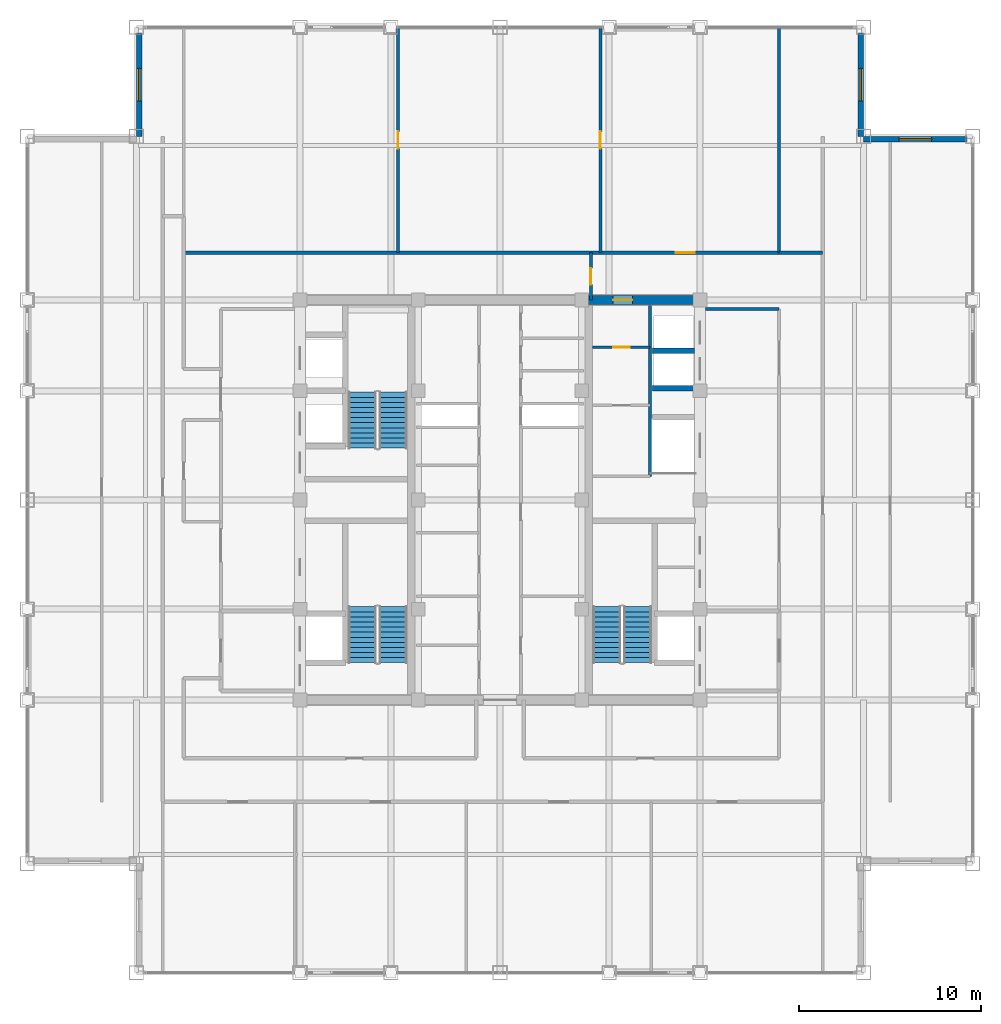
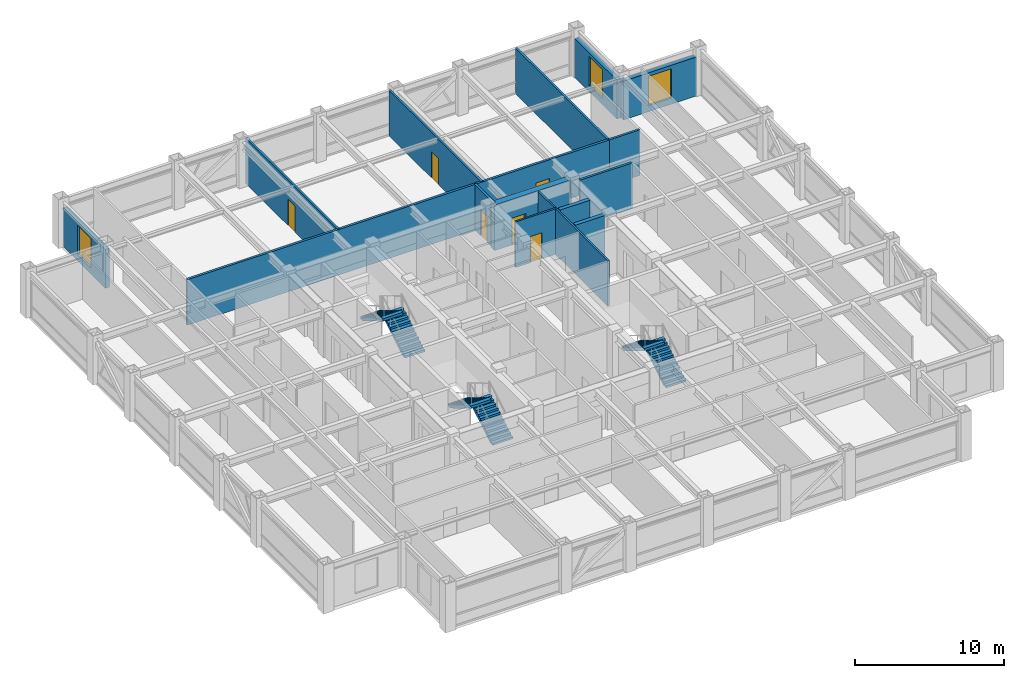
# One storey, part 27 of 28: 15 walls, 6 doors, 6 stair flights, 3 windows, 9 openings, 3 elements without a shape of their own.
"""IFC4 building model written with IfcOpenShell, lengths in metres."""

import ifcopenshell
import ifcopenshell.guid

model = None  # the IFC model being written
_history = None  # IfcOwnerHistory: only IFC2X3 demands one
_inside = {}  # id of a spatial element -> (the spatial element, [elements in it])
_under = {}  # id of a project, library or spatial element -> (it, [spatial elements below it])
_declared = {}  # id of a project -> (the project, [libraries it declares])
_typed = {}  # id of a type object -> (the type object, [elements of that type])
_made_of = {}  # id of a material, layer set ... -> (it, [elements and type objects made of it])


def new_model(schema):
    """Start an empty IFC model of exactly this schema.

    Asked for "IFC4X3", IfcOpenShell would pick the latest addendum, in which some entities
    have other attributes; the version numbers below select the first issue.
    IFC2X3 requires an IfcOwnerHistory on every rooted entity: one is made here for all.
    """
    global model, _history
    if schema == "IFC4X3":
        model = ifcopenshell.file(schema_version=(4, 3, 0, 0))
    else:
        model = ifcopenshell.file(schema=schema)
    _inside.clear()
    _under.clear()
    _declared.clear()
    _typed.clear()
    _made_of.clear()
    _history = None
    if model.schema == "IFC2X3":
        org = make("IfcOrganization", Name="unknown")
        user = make(
            "IfcPersonAndOrganization",
            ThePerson=make("IfcPerson", FamilyName="unknown"),
            TheOrganization=org,
        )
        app = make(
            "IfcApplication",
            ApplicationDeveloper=org,
            Version="unknown",
            ApplicationFullName="unknown",
            ApplicationIdentifier="unknown",
        )
        _history = make(
            "IfcOwnerHistory",
            OwningUser=user,
            OwningApplication=app,
            ChangeAction="ADDED",
            CreationDate=0,
        )
    return model


def make(cls, **values):
    """One entity of the class cls with the attributes given. An attribute that is None is left unset."""
    return model.create_entity(
        cls, **{name: value for name, value in values.items() if value is not None}
    )


def rooted(cls, **values):
    """An entity with a GlobalId (a new one), such as an element, a storey or a relation."""
    return make(cls, GlobalId=ifcopenshell.guid.new(), OwnerHistory=_history, **values)


def si_unit(unit_type, name, prefix=None):
    """IfcSIUnit, for example si_unit("LENGTHUNIT", "METRE", prefix="MILLI")."""
    return make("IfcSIUnit", UnitType=unit_type, Prefix=prefix, Name=name)


def assignment(units):
    """IfcUnitAssignment: the units of a project."""
    return None if units is None else make("IfcUnitAssignment", Units=units)


def point(xyz):
    """IfcCartesianPoint."""
    return None if xyz is None else make("IfcCartesianPoint", Coordinates=xyz)


def direction(xyz):
    """IfcDirection."""
    return None if xyz is None else make("IfcDirection", DirectionRatios=xyz)


def frame(location, z_axis=None, x_axis=None):
    """IfcAxis2Placement3D, a coordinate frame: its origin and axes. An axis left out is left unset."""
    return make(
        "IfcAxis2Placement3D",
        Location=point(location),
        Axis=direction(z_axis),
        RefDirection=direction(x_axis),
    )


def frame_2d(location, x_axis=None):
    """IfcAxis2Placement2D, a coordinate frame in the plane: its origin and x axis."""
    return make(
        "IfcAxis2Placement2D", Location=point(location), RefDirection=direction(x_axis)
    )


def origin():
    """The frame at (0, 0, 0) with its axes left unset."""
    return frame((0.0, 0.0, 0.0))


def place(relative_to, where):
    """IfcLocalPlacement: puts the frame where relative to a parent placement (None: the world)."""
    return make(
        "IfcLocalPlacement", PlacementRelTo=relative_to, RelativePlacement=where
    )


def context(
    kind, dimensions, precision=None, world=None, true_north=None, identifier=None
):
    """IfcGeometricRepresentationContext, for example the 3D "Model" context."""
    return make(
        "IfcGeometricRepresentationContext",
        ContextIdentifier=identifier,
        ContextType=kind,
        CoordinateSpaceDimension=dimensions,
        Precision=precision,
        WorldCoordinateSystem=world,
        TrueNorth=true_north,
    )


def subcontext(parent, identifier, kind, view, scale=None):
    """IfcGeometricRepresentationSubContext, for example "Body" below "Model"."""
    return make(
        "IfcGeometricRepresentationSubContext",
        ContextIdentifier=identifier,
        ContextType=kind,
        ParentContext=parent,
        TargetScale=scale,
        TargetView=view,
    )


def project(units=None, contexts=None):
    """IfcProject with its units and contexts."""
    return rooted(
        "IfcProject",
        Name="project",
        RepresentationContexts=contexts,
        UnitsInContext=assignment(units),
    )


def spatial(cls, under=None, at=None, **own):
    """A site, building, storey or space (cls), placed at a placement, below another one or the project."""
    s = rooted(cls, ObjectPlacement=at, **own)
    if under is not None:
        _under.setdefault(under.id(), (under, []))[1].append(s)
    return s


def polyline(points):
    """IfcPolyline through the points."""
    return make("IfcPolyline", Points=[point(p) for p in points])


def profile(cls, at=None, kind="AREA", **sizes):
    """A parametric profile (cls). Its sizes go by their IFC names, for example OverallWidth=200.0."""
    return make(cls, ProfileType=kind, Position=at, **sizes)


def rectangle(**sizes):
    """IfcRectangleProfileDef."""
    return profile("IfcRectangleProfileDef", **sizes)


def outline(outer, holes=None, kind="AREA"):
    """IfcArbitraryClosedProfileDef: a profile drawn as a closed curve; with holes, ...WithVoids."""
    if holes is None:
        return make("IfcArbitraryClosedProfileDef", ProfileType=kind, OuterCurve=outer)
    return make(
        "IfcArbitraryProfileDefWithVoids",
        ProfileType=kind,
        OuterCurve=outer,
        InnerCurves=holes,
    )


def extrude(swept, where, along, depth):
    """IfcExtrudedAreaSolid: the profile swept, set in the frame where, extruded along a direction by depth."""
    return make(
        "IfcExtrudedAreaSolid",
        SweptArea=swept,
        Position=where,
        ExtrudedDirection=direction(along),
        Depth=depth,
    )


def shape(context_of_items, identifier, shape_type, items):
    """IfcShapeRepresentation: the items that make up one representation, for example the "Body"."""
    return make(
        "IfcShapeRepresentation",
        ContextOfItems=context_of_items,
        RepresentationIdentifier=identifier,
        RepresentationType=shape_type,
        Items=items,
    )


def source(mapping_origin, context_of_items, identifier, shape_type, items):
    """IfcRepresentationMap: a shape defined once, which mapped items show again and again."""
    return make(
        "IfcRepresentationMap",
        MappingOrigin=mapping_origin,
        MappedRepresentation=shape(context_of_items, identifier, shape_type, items),
    )


def transform(
    local_origin,
    x_axis=None,
    y_axis=None,
    z_axis=None,
    scale=None,
    scale2=None,
    scale3=None,
    uniform=True,
):
    """IfcCartesianTransformationOperator3D, or its non-uniform kind. x_axis, y_axis, z_axis: its Axis1, 2, 3."""
    if uniform:
        return make(
            "IfcCartesianTransformationOperator3D",
            Axis1=direction(x_axis),
            Axis2=direction(y_axis),
            LocalOrigin=point(local_origin),
            Scale=scale,
            Axis3=direction(z_axis),
        )
    return make(
        "IfcCartesianTransformationOperator3DnonUniform",
        Axis1=direction(x_axis),
        Axis2=direction(y_axis),
        LocalOrigin=point(local_origin),
        Scale=scale,
        Axis3=direction(z_axis),
        Scale2=scale2,
        Scale3=scale3,
    )


def mapped(mapping_source, mapping_target):
    """IfcMappedItem: shows the shape of a source again, moved by a transform."""
    return make(
        "IfcMappedItem", MappingSource=mapping_source, MappingTarget=mapping_target
    )


def material(Name=None, Category=None):
    """IfcMaterial."""
    return make("IfcMaterial", Name=Name, Category=Category)


def layer(
    of_material, thickness, ventilated=None, Name=None, Category=None, Priority=None
):
    """IfcMaterialLayer: one layer of a wall or slab, of a material (None: an air gap)."""
    return make(
        "IfcMaterialLayer",
        Material=of_material,
        LayerThickness=thickness,
        IsVentilated=ventilated,
        Name=Name,
        Category=Category,
        Priority=Priority,
    )


def layer_set(layers, Name=None):
    """IfcMaterialLayerSet."""
    return make("IfcMaterialLayerSet", MaterialLayers=layers, LayerSetName=Name)


def made_of(thing, what):
    """Note that an element or type object is made of a material, layer set ...; save() writes the relation."""
    if what is not None:
        _made_of.setdefault(what.id(), (what, []))[1].append(thing)
    return thing


def type_object(cls, material=None, **own):
    """A type object (cls), such as IfcWallType, which elements share."""
    return made_of(rooted(cls, **own), material)


def element(
    cls,
    number,
    at=None,
    inside=None,
    cuts=None,
    type_object=None,
    material=None,
    context=None,
    identifier="Body",
    shape_type=None,
    held_by="IfcProductDefinitionShape",
    body=None,
    shapes=None,
    **own,
):
    """One element of the class cls, such as IfcWall. Its Tag is "e" and its number.

    at: its placement. inside: the storey or other place that contains it. cuts: it is an
    opening in that element (IfcRelVoidsElement). A single representation is given by context,
    identifier, shape_type and body (its items); several are given by shapes. held_by: the class
    of the entity that holds the representations. save() writes the other relations.
    """
    e = rooted(cls, Tag="e%d" % number, ObjectPlacement=at, **own)
    if body is not None:
        shapes = [shape(context, identifier, shape_type, body)]
    if shapes is not None:
        e.Representation = make(held_by, Representations=shapes)
    if inside is not None:
        _inside.setdefault(inside.id(), (inside, []))[1].append(e)
    if cuts is not None:
        rooted(
            "IfcRelVoidsElement", RelatingBuildingElement=cuts, RelatedOpeningElement=e
        )
    if type_object is not None:
        _typed.setdefault(type_object.id(), (type_object, []))[1].append(e)
    return made_of(e, material)


def fill(opening, filler):
    """IfcRelFillsElement: the door or window that sits in an opening."""
    return rooted(
        "IfcRelFillsElement",
        RelatingOpeningElement=opening,
        RelatedBuildingElement=filler,
    )


def aggregate(whole, parts):
    """IfcRelAggregates: a whole, such as a stair, and the parts it consists of."""
    return rooted("IfcRelAggregates", RelatingObject=whole, RelatedObjects=parts)


def save(model, path):
    """Write the relations noted so far, then the file.

    IfcRelAggregates (storeys below a building ...), IfcRelContainedInSpatialStructure (elements
    in a storey), IfcRelDefinesByType, IfcRelAssociatesMaterial and IfcRelDeclares: one each for
    every whole, place, type object, material and project.
    """
    for whole, parts in _under.values():
        aggregate(whole, parts)
    for where, things in _inside.values():
        rooted(
            "IfcRelContainedInSpatialStructure",
            RelatedElements=things,
            RelatingStructure=where,
        )
    for kind, things in _typed.values():
        rooted("IfcRelDefinesByType", RelatedObjects=things, RelatingType=kind)
    for what, things in _made_of.values():
        rooted("IfcRelAssociatesMaterial", RelatedObjects=things, RelatingMaterial=what)
    for by, libraries in _declared.values():
        rooted("IfcRelDeclares", RelatingContext=by, RelatedDefinitions=libraries)
    model.write(path)


model = new_model("IFC4")

# Units and contexts
model_context = context("Model", 3, precision=1e-05, world=origin(), true_north=direction((0.0, 1.0)))
body_context = subcontext(model_context, "Body", "Model", "MODEL_VIEW")
ifc_project = project(units=[si_unit("LENGTHUNIT", "METRE"), si_unit("AREAUNIT", "SQUARE_METRE"), si_unit("VOLUMEUNIT", "CUBIC_METRE"), si_unit("PLANEANGLEUNIT", "RADIAN"), si_unit("MASSUNIT", "GRAM", prefix="KILO")], contexts=[model_context])

# Site, building, storey
site_placement = place(None, origin())
site = spatial("IfcSite", under=ifc_project, at=site_placement, CompositionType="ELEMENT")
building_placement = place(site_placement, origin())
building = spatial("IfcBuilding", under=site, at=building_placement, Name="Khorayat Bourse Tower", CompositionType="ELEMENT")
storey_placement = place(building_placement, frame((0.0, 0.0, 334.300048828125)))
storey = spatial("IfcBuildingStorey", under=building, at=storey_placement, Name="L79", CompositionType="ELEMENT", Elevation=334.300048828125)

# Wall, opening, door
ifc_material_1 = material(Name="Concrete C52/65", Category="concrete")
ifc_layer_1 = layer(ifc_material_1, 0.5)
ifc_layer_set_1 = layer_set([ifc_layer_1], Name="Concrete C52/65")
wall_type_1 = type_object("IfcWallType", Name="WAL-CORE-500", PredefinedType="SHEAR", material=ifc_layer_set_1)
shared_shape_1 = source(origin(), body_context, "Body", "SweptSolid", [
    extrude(rectangle(XDim=5.89990234375, YDim=0.5, at=frame_2d((2.949951171875, 0.0))), origin(), (0.0, 0.0, 1.0), 3.739990234375),
])
wall_1_placement = place(storey_placement, frame((4.85009765625, 11.0, 0.0), z_axis=(0.0, 0.0, 1.0), x_axis=(1.0, 0.0, 0.0)))
wall_1 = element("IfcWall", 1, at=wall_1_placement, inside=storey, type_object=wall_type_1, Name="L79 Core Shear Wall PIER-EN", PredefinedType="SHEAR", context=body_context, shape_type="MappedRepresentation", body=[
    mapped(shared_shape_1, transform((0.0, 0.0, 0.0), scale=1.0)),
])
shared_shape_2 = source(origin(), body_context, "Body", "SweptSolid", [
    extrude(rectangle(XDim=1.050048828125, YDim=2.199951171875, at=frame_2d((0.52490234375, 1.10009765625))), frame((0.0, 0.260009765625, 0.0), z_axis=(0.0, -1.0, 0.0), x_axis=(1.0, 0.0, 0.0)), (0.0, 0.0, 1.0), 0.52001953125),
])
opening_1_placement = place(wall_1_placement, frame((1.375, 0.0, 0.0)))
opening_1 = element("IfcOpeningElement", 2, at=opening_1_placement, cuts=wall_1, Name="Opening DI-04", PredefinedType="OPENING", context=body_context, shape_type="MappedRepresentation", body=[
    mapped(shared_shape_2, transform((0.0, 0.0, 0.0), scale=1.0)),
])
ifc_material_2 = material(Name="Fire-rated oak veneer suite entrance door")
door_type_1 = type_object("IfcDoorType", Name="DR-INT-SUITE-1050", OperationType="NOTDEFINED", PredefinedType="DOOR", material=ifc_material_2)
shared_shape_3 = source(origin(), body_context, "Body", "SweptSolid", [
    extrude(rectangle(XDim=1.050048828125, YDim=2.199951171875, at=frame_2d((0.52490234375, 1.10009765625))), frame((0.0, 0.02490234375, 0.0), z_axis=(0.0, -1.0, 0.0), x_axis=(1.0, 0.0, 0.0)), (0.0, 0.0, 1.0), 0.050048828125),
])
door_1_placement = place(opening_1_placement, origin())
door_1 = element("IfcDoor", 3, at=door_1_placement, inside=storey, type_object=door_type_1, Name="L79 Core Washroom Lobby Door", OperationType="SINGLE_SWING_LEFT", OverallHeight=2.199951171875, OverallWidth=1.050048828125, PredefinedType="DOOR", context=body_context, shape_type="MappedRepresentation", body=[
    mapped(shared_shape_3, transform((0.0, 0.0, 0.0), scale=1.0)),
])
fill(opening_1, door_1)

# Wall, opening, window
ifc_material_3 = material(Name="Precast concrete C45/55", Category="concrete")
ifc_layer_2 = layer(ifc_material_3, 0.320068359375)
ifc_layer_set_2 = layer_set([ifc_layer_2], Name="Precast concrete C45/55")
wall_type_2 = type_object("IfcWallType", Name="WAL-EXT-STONE-320", PredefinedType="STANDARD", material=ifc_layer_set_2)
shared_shape_4 = source(origin(), body_context, "Body", "SweptSolid", [
    extrude(rectangle(XDim=5.679931640625, YDim=0.320068359375, at=frame_2d((2.83984375, 0.0))), origin(), (0.0, 0.0, 1.0), 3.19091796875),
])
wall_2_placement = place(storey_placement, frame((20.0, 19.840087890625, 0.0), z_axis=(0.0, 0.0, 1.0), x_axis=(1.0, 0.0, 0.0)))
wall_2 = element("IfcWall", 4, at=wall_2_placement, inside=storey, type_object=wall_type_2, Name="L79 Re-Entrant Notch Limestone Wall NE-H", PredefinedType="STANDARD", context=body_context, shape_type="MappedRepresentation", body=[
    mapped(shared_shape_4, transform((0.0, 0.0, 0.0), scale=1.0)),
])
shared_shape_5 = source(origin(), body_context, "Body", "SweptSolid", [
    extrude(rectangle(XDim=1.800048828125, YDim=2.39990234375, at=frame_2d((0.89990234375, 1.199951171875))), frame((0.0, 0.169921875, 0.0), z_axis=(0.0, -1.0, 0.0), x_axis=(1.0, 0.0, 0.0)), (0.0, 0.0, 1.0), 0.340087890625),
])
opening_2_placement = place(wall_2_placement, frame((1.93994140625, 0.0, 0.5)))
opening_2 = element("IfcOpeningElement", 5, at=opening_2_placement, cuts=wall_2, Name="Opening WN-04", PredefinedType="OPENING", context=body_context, shape_type="MappedRepresentation", body=[
    mapped(shared_shape_5, transform((0.0, 0.0, 0.0), scale=1.0)),
])
ifc_material_4 = material(Name="Low-E acoustic laminated double glazing", Category="glass")
window_type = type_object("IfcWindowType", Name="WIN-NOTCH-1800x2400", PartitioningType="SINGLE_PANEL", PredefinedType="WINDOW", material=ifc_material_4)
shared_shape_6 = source(origin(), body_context, "Body", "SweptSolid", [
    extrude(rectangle(XDim=1.800048828125, YDim=2.39990234375, at=frame_2d((0.89990234375, 1.199951171875))), frame((0.0, 0.030029296875, 0.0), z_axis=(0.0, -1.0, 0.0), x_axis=(1.0, 0.0, 0.0)), (0.0, 0.0, 1.0), 0.06005859375),
])
window_1_placement = place(opening_2_placement, origin())
window_1 = element("IfcWindow", 6, at=window_1_placement, inside=storey, type_object=window_type, Name="L79 Facade Window 1", OverallHeight=2.39990234375, OverallWidth=1.800048828125, PartitioningType="SINGLE_PANEL", PredefinedType="WINDOW", context=body_context, shape_type="MappedRepresentation", body=[
    mapped(shared_shape_6, transform((0.0, 0.0, 0.0), scale=1.0)),
])
fill(opening_2, window_1)

wall_3_placement = place(storey_placement, frame((19.840087890625, 20.0, 0.0), z_axis=(0.0, 0.0, 1.0), x_axis=(0.0, 1.0, 0.0)))
wall_3 = element("IfcWall", 7, at=wall_3_placement, inside=storey, type_object=wall_type_2, Name="L79 Re-Entrant Notch Limestone Wall NE-V", PredefinedType="STANDARD", context=body_context, shape_type="MappedRepresentation", body=[
    mapped(shared_shape_4, transform((0.0, 0.0, 0.0), scale=1.0)),
])
opening_3_placement = place(wall_3_placement, frame((1.93994140625, 0.0, 0.5)))
opening_3 = element("IfcOpeningElement", 8, at=opening_3_placement, cuts=wall_3, Name="Opening WN-04", PredefinedType="OPENING", context=body_context, shape_type="MappedRepresentation", body=[
    mapped(shared_shape_5, transform((0.0, 0.0, 0.0), scale=1.0)),
])
window_2_placement = place(opening_3_placement, origin())
window_2 = element("IfcWindow", 9, at=window_2_placement, inside=storey, type_object=window_type, Name="L79 Facade Window 1", OverallHeight=2.39990234375, OverallWidth=1.800048828125, PartitioningType="SINGLE_PANEL", PredefinedType="WINDOW", context=body_context, shape_type="MappedRepresentation", body=[
    mapped(shared_shape_6, transform((0.0, 0.0, 0.0), scale=1.0)),
])
fill(opening_3, window_2)

wall_4_placement = place(storey_placement, frame((-19.840087890625, 20.0, 0.0), z_axis=(0.0, 0.0, 1.0), x_axis=(0.0, 1.0, 0.0)))
wall_4 = element("IfcWall", 10, at=wall_4_placement, inside=storey, type_object=wall_type_2, Name="L79 Re-Entrant Notch Limestone Wall NW-V", PredefinedType="STANDARD", context=body_context, shape_type="MappedRepresentation", body=[
    mapped(shared_shape_4, transform((0.0, 0.0, 0.0), scale=1.0)),
])
opening_4_placement = place(wall_4_placement, frame((1.93994140625, 0.0, 0.5)))
opening_4 = element("IfcOpeningElement", 11, at=opening_4_placement, cuts=wall_4, Name="Opening WN-04", PredefinedType="OPENING", context=body_context, shape_type="MappedRepresentation", body=[
    mapped(shared_shape_5, transform((0.0, 0.0, 0.0), scale=1.0)),
])
window_3_placement = place(opening_4_placement, origin())
window_3 = element("IfcWindow", 12, at=window_3_placement, inside=storey, type_object=window_type, Name="L79 Facade Window 1", OverallHeight=2.39990234375, OverallWidth=1.800048828125, PartitioningType="SINGLE_PANEL", PredefinedType="WINDOW", context=body_context, shape_type="MappedRepresentation", body=[
    mapped(shared_shape_6, transform((0.0, 0.0, 0.0), scale=1.0)),
])
fill(opening_4, window_3)

# Walls
ifc_material_5 = material(Name="Concrete C50/60", Category="concrete")
ifc_layer_3 = layer(ifc_material_5, 0.300048828125)
ifc_layer_set_3 = layer_set([ifc_layer_3], Name="Concrete C50/60")
wall_type_3 = type_object("IfcWallType", Name="WAL-SHAFT-300", PredefinedType="SHEAR", material=ifc_layer_set_3)
shared_shape_7 = source(origin(), body_context, "Body", "SweptSolid", [
    extrude(rectangle(XDim=2.300048828125, YDim=0.300048828125, at=frame_2d((1.14990234375, 0.0))), origin(), (0.0, 0.0, 1.0), 3.739990234375),
])
for number, where, z_axis, x_axis, name in (
    (13, (8.39990234375, 6.14990234375, 0.0), (0.0, 0.0, 1.0), (1.0, 0.0, 0.0), "L79 Partition WAL-L79-EPIER-H3S"),
    (14, (8.39990234375, 8.199951171875, 0.0), (0.0, 0.0, 1.0), (1.0, 0.0, 0.0), "L79 Partition WAL-L79-EPIER-H34"),
):
    element("IfcWall", number, at=place(storey_placement, frame(where, z_axis=z_axis, x_axis=x_axis)), inside=storey, type_object=wall_type_3, Name=name, PredefinedType="SHEAR", context=body_context, shape_type="MappedRepresentation", body=[
        mapped(shared_shape_7, transform((0.0, 0.0, 0.0), scale=1.0)),
    ])
ifc_material_6 = material(Name="Moisture-resistant masonry partition", Category="masonry")
ifc_layer_4 = layer(ifc_material_6, 0.139892578125)
ifc_layer_set_4 = layer_set([ifc_layer_4], Name="Moisture-resistant masonry partition")
wall_type_4 = type_object("IfcWallType", Name="WAL-PART-WET-140", PredefinedType="PARTITIONING", material=ifc_layer_set_4)
shared_shape_8 = source(origin(), body_context, "Body", "SweptSolid", [
    extrude(rectangle(XDim=9.39990234375, YDim=0.139892578125, at=frame_2d((4.699951171875, 0.0))), origin(), (0.0, 0.0, 1.0), 3.739990234375),
])
wall_5_placement = place(storey_placement, frame((8.25, 1.300048828125, 0.0), z_axis=(0.0, 0.0, 1.0), x_axis=(0.0, 1.0, 0.0)))
element("IfcWall", 15, at=wall_5_placement, inside=storey, type_object=wall_type_4, Name="L79 Partition WAL-L79-ECORE-E", PredefinedType="PARTITIONING", context=body_context, shape_type="MappedRepresentation", body=[
    mapped(shared_shape_8, transform((0.0, 0.0, 0.0), scale=1.0)),
])

# Wall, opening, door
shared_shape_9 = source(origin(), body_context, "Body", "SweptSolid", [
    extrude(rectangle(XDim=3.14990234375, YDim=0.139892578125, at=frame_2d((1.574951171875, 0.0))), origin(), (0.0, 0.0, 1.0), 3.739990234375),
])
wall_6_placement = place(storey_placement, frame((5.10009765625, 8.39990234375, 0.0), z_axis=(0.0, 0.0, 1.0), x_axis=(1.0, 0.0, 0.0)))
wall_6 = element("IfcWall", 16, at=wall_6_placement, inside=storey, type_object=wall_type_4, Name="L79 Partition WAL-L79-ECW-TOP", PredefinedType="PARTITIONING", context=body_context, shape_type="MappedRepresentation", body=[
    mapped(shared_shape_9, transform((0.0, 0.0, 0.0), scale=1.0)),
])
shared_shape_10 = source(origin(), body_context, "Body", "SweptSolid", [
    extrude(rectangle(XDim=0.89990234375, YDim=2.14990234375, at=frame_2d((0.449951171875, 1.074951171875))), frame((0.0, 0.079833984375, 0.0), z_axis=(0.0, -1.0, 0.0), x_axis=(1.0, 0.0, 0.0)), (0.0, 0.0, 1.0), 0.159912109375),
])
opening_5_placement = place(wall_6_placement, frame((1.1298828125, 0.0, 0.0)))
opening_5 = element("IfcOpeningElement", 17, at=opening_5_placement, cuts=wall_6, Name="Opening DI-06", PredefinedType="OPENING", context=body_context, shape_type="MappedRepresentation", body=[
    mapped(shared_shape_10, transform((0.0, 0.0, 0.0), scale=1.0)),
])
ifc_material_7 = material(Name="Moisture-resistant laminate washroom door")
door_type_2 = type_object("IfcDoorType", Name="DR-INT-WC-900", OperationType="NOTDEFINED", PredefinedType="DOOR", material=ifc_material_7)
shared_shape_11 = source(origin(), body_context, "Body", "SweptSolid", [
    extrude(rectangle(XDim=0.89990234375, YDim=2.14990234375, at=frame_2d((0.449951171875, 1.074951171875))), frame((0.0, 0.02490234375, 0.0), z_axis=(0.0, -1.0, 0.0), x_axis=(1.0, 0.0, 0.0)), (0.0, 0.0, 1.0), 0.050048828125),
])
door_2_placement = place(opening_5_placement, origin())
door_2 = element("IfcDoor", 18, at=door_2_placement, inside=storey, type_object=door_type_2, Name="L79 Accessible WC Door", OperationType="SINGLE_SWING_LEFT", OverallHeight=2.14990234375, OverallWidth=0.89990234375, PredefinedType="DOOR", context=body_context, shape_type="MappedRepresentation", body=[
    mapped(shared_shape_11, transform((0.0, 0.0, 0.0), scale=1.0)),
])
fill(opening_5, door_2)

# Wall
ifc_material_8 = material(Name="Gypsum plasterboard acoustic stud wall")
ifc_layer_5 = layer(ifc_material_8, 0.179931640625)
ifc_layer_set_5 = layer_set([ifc_layer_5], Name="Gypsum plasterboard acoustic stud wall")
wall_type_5 = type_object("IfcWallType", Name="WAL-PART-CORR-180", PredefinedType="PARTITIONING", material=ifc_layer_set_5)
shared_shape_12 = source(origin(), body_context, "Body", "SweptSolid", [
    extrude(rectangle(XDim=4.050048828125, YDim=0.179931640625, at=frame_2d((2.02490234375, 0.0))), origin(), (0.0, 0.0, 1.0), 3.739990234375),
])
wall_7_placement = place(storey_placement, frame((11.300048828125, 10.5, 0.0), z_axis=(0.0, 0.0, 1.0), x_axis=(1.0, 0.0, 0.0)))
element("IfcWall", 19, at=wall_7_placement, inside=storey, type_object=wall_type_5, Name="L79 Partition WAL-L79-ELOB-N", PredefinedType="PARTITIONING", context=body_context, shape_type="MappedRepresentation", body=[
    mapped(shared_shape_12, transform((0.0, 0.0, 0.0), scale=1.0)),
])

# Wall, opening, door
shared_shape_13 = source(origin(), body_context, "Body", "SweptSolid", [
    extrude(rectangle(XDim=2.60009765625, YDim=0.179931640625, at=frame_2d((1.300048828125, 0.0))), origin(), (0.0, 0.0, 1.0), 3.739990234375),
])
wall_8_placement = place(storey_placement, frame((5.0, 11.0, 0.0), z_axis=(0.0, 0.0, 1.0), x_axis=(0.0, 1.0, 0.0)))
wall_8 = element("IfcWall", 20, at=wall_8_placement, inside=storey, type_object=wall_type_5, Name="L79 Partition WAL-L79-CORRNE-W", PredefinedType="PARTITIONING", context=body_context, shape_type="MappedRepresentation", body=[
    mapped(shared_shape_13, transform((0.0, 0.0, 0.0), scale=1.0)),
])
shared_shape_14 = source(origin(), body_context, "Body", "SweptSolid", [
    extrude(rectangle(XDim=0.89990234375, YDim=2.14990234375, at=frame_2d((0.449951171875, 1.074951171875))), frame((0.0, 0.099853515625, 0.0), z_axis=(0.0, -1.0, 0.0), x_axis=(1.0, 0.0, 0.0)), (0.0, 0.0, 1.0), 0.199951171875),
])
opening_6_placement = place(wall_8_placement, frame((0.85009765625, 0.0, 0.0)))
opening_6 = element("IfcOpeningElement", 21, at=opening_6_placement, cuts=wall_8, Name="Opening DI-06", PredefinedType="OPENING", context=body_context, shape_type="MappedRepresentation", body=[
    mapped(shared_shape_14, transform((0.0, 0.0, 0.0), scale=1.0)),
])
door_3_placement = place(opening_6_placement, origin())
door_3 = element("IfcDoor", 22, at=door_3_placement, inside=storey, type_object=door_type_2, Name="L79 North Core Pantry Door", OperationType="SINGLE_SWING_LEFT", OverallHeight=2.14990234375, OverallWidth=0.89990234375, PredefinedType="DOOR", context=body_context, shape_type="MappedRepresentation", body=[
    mapped(shared_shape_11, transform((0.0, 0.0, 0.0), scale=1.0)),
])
fill(opening_6, door_3)

# Wall
shared_shape_15 = source(origin(), body_context, "Body", "SweptSolid", [
    extrude(rectangle(XDim=2.39990234375, YDim=0.179931640625, at=frame_2d((1.199951171875, 0.0))), origin(), (0.0, 0.0, 1.0), 3.739990234375),
])
wall_9_placement = place(storey_placement, frame((15.35009765625, 13.60009765625, 0.0), z_axis=(0.0, 0.0, 1.0), x_axis=(1.0, 0.0, 0.0)))
element("IfcWall", 23, at=wall_9_placement, inside=storey, type_object=wall_type_5, Name="L79 Partition WAL-L79-GALE-N", PredefinedType="PARTITIONING", context=body_context, shape_type="MappedRepresentation", body=[
    mapped(shared_shape_15, transform((0.0, 0.0, 0.0), scale=1.0)),
])

# Wall, opening, door
ifc_material_9 = material(Name="Gypsum plasterboard twin-frame partition")
ifc_layer_6 = layer(ifc_material_9, 0.14990234375)
ifc_layer_set_6 = layer_set([ifc_layer_6], Name="Gypsum plasterboard twin-frame partition")
wall_type_6 = type_object("IfcWallType", Name="WAL-PART-SUITE-150", PredefinedType="PARTITIONING", material=ifc_layer_set_6)
shared_shape_16 = source(origin(), body_context, "Body", "SweptSolid", [
    extrude(rectangle(XDim=12.39990234375, YDim=0.14990234375, at=frame_2d((6.199951171875, 0.0))), origin(), (0.0, 0.0, 1.0), 3.739990234375),
])
wall_10_placement = place(storey_placement, frame((-5.610107421875, 13.60009765625, 0.0), z_axis=(0.0, 0.0, 1.0), x_axis=(0.0, 1.0, 0.0)))
wall_10 = element("IfcWall", 24, at=wall_10_placement, inside=storey, type_object=wall_type_6, Name="L79 Partition WAL-L79-NDV-1", PredefinedType="PARTITIONING", context=body_context, shape_type="MappedRepresentation", body=[
    mapped(shared_shape_16, transform((0.0, 0.0, 0.0), scale=1.0)),
])
shared_shape_17 = source(origin(), body_context, "Body", "SweptSolid", [
    extrude(rectangle(XDim=0.949951171875, YDim=2.14990234375, at=frame_2d((0.47509765625, 1.074951171875))), frame((0.0, 0.0849609375, 0.0), z_axis=(0.0, -1.0, 0.0), x_axis=(1.0, 0.0, 0.0)), (0.0, 0.0, 1.0), 0.169921875),
])
opening_7_placement = place(wall_10_placement, frame((5.72509765625, 0.0, 0.0)))
opening_7 = element("IfcOpeningElement", 25, at=opening_7_placement, cuts=wall_10, Name="Opening DI-05", PredefinedType="OPENING", context=body_context, shape_type="MappedRepresentation", body=[
    mapped(shared_shape_17, transform((0.0, 0.0, 0.0), scale=1.0)),
])
ifc_material_10 = material(Name="Acoustic oak veneer office door")
door_type_3 = type_object("IfcDoorType", Name="DR-INT-OFFICE-950", OperationType="NOTDEFINED", PredefinedType="DOOR", material=ifc_material_10)
shared_shape_18 = source(origin(), body_context, "Body", "SweptSolid", [
    extrude(rectangle(XDim=0.949951171875, YDim=2.14990234375, at=frame_2d((0.47509765625, 1.074951171875))), frame((0.0, 0.02490234375, 0.0), z_axis=(0.0, -1.0, 0.0), x_axis=(1.0, 0.0, 0.0)), (0.0, 0.0, 1.0), 0.050048828125),
])
door_4_placement = place(opening_7_placement, origin())
door_4 = element("IfcDoor", 26, at=door_4_placement, inside=storey, type_object=door_type_3, Name="L79 N Suite Link 1", OperationType="SINGLE_SWING_RIGHT", OverallHeight=2.14990234375, OverallWidth=0.949951171875, PredefinedType="DOOR", context=body_context, shape_type="MappedRepresentation", body=[
    mapped(shared_shape_18, transform((0.0, 0.0, 0.0), scale=1.0)),
])
fill(opening_7, door_4)

wall_11_placement = place(storey_placement, frame((5.52490234375, 13.60009765625, 0.0), z_axis=(0.0, 0.0, 1.0), x_axis=(0.0, 1.0, 0.0)))
wall_11 = element("IfcWall", 27, at=wall_11_placement, inside=storey, type_object=wall_type_6, Name="L79 Partition WAL-L79-NDV-2", PredefinedType="PARTITIONING", context=body_context, shape_type="MappedRepresentation", body=[
    mapped(shared_shape_16, transform((0.0, 0.0, 0.0), scale=1.0)),
])
opening_8_placement = place(wall_11_placement, frame((5.72509765625, 0.0, 0.0)))
opening_8 = element("IfcOpeningElement", 28, at=opening_8_placement, cuts=wall_11, Name="Opening DI-05", PredefinedType="OPENING", context=body_context, shape_type="MappedRepresentation", body=[
    mapped(shared_shape_17, transform((0.0, 0.0, 0.0), scale=1.0)),
])
door_5_placement = place(opening_8_placement, origin())
door_5 = element("IfcDoor", 29, at=door_5_placement, inside=storey, type_object=door_type_3, Name="L79 N Suite Link 2", OperationType="SINGLE_SWING_LEFT", OverallHeight=2.14990234375, OverallWidth=0.949951171875, PredefinedType="DOOR", context=body_context, shape_type="MappedRepresentation", body=[
    mapped(shared_shape_18, transform((0.0, 0.0, 0.0), scale=1.0)),
])
fill(opening_8, door_5)

# Wall
wall_12_placement = place(storey_placement, frame((15.35009765625, 13.60009765625, 0.0), z_axis=(0.0, 0.0, 1.0), x_axis=(0.0, 1.0, 0.0)))
element("IfcWall", 30, at=wall_12_placement, inside=storey, type_object=wall_type_6, Name="L79 Partition WAL-L79-NCE-END", PredefinedType="PARTITIONING", context=body_context, shape_type="MappedRepresentation", body=[
    mapped(shared_shape_16, transform((0.0, 0.0, 0.0), scale=1.0)),
])

# Wall, opening, door
shared_shape_19 = source(origin(), body_context, "Body", "SweptSolid", [
    extrude(rectangle(XDim=32.75, YDim=0.179931640625, at=frame_2d((16.375, 0.0))), origin(), (0.0, 0.0, 1.0), 3.739990234375),
])
wall_13_placement = place(storey_placement, frame((-17.39990234375, 13.60009765625, 0.0), z_axis=(0.0, 0.0, 1.0), x_axis=(1.0, 0.0, 0.0)))
wall_13 = element("IfcWall", 31, at=wall_13_placement, inside=storey, type_object=wall_type_5, Name="L79 Partition WAL-L79-NCORR", PredefinedType="PARTITIONING", context=body_context, shape_type="MappedRepresentation", body=[
    mapped(shared_shape_19, transform((0.0, 0.0, 0.0), scale=1.0)),
])
shared_shape_20 = source(origin(), body_context, "Body", "SweptSolid", [
    extrude(rectangle(XDim=1.050048828125, YDim=2.199951171875, at=frame_2d((0.52490234375, 1.10009765625))), frame((0.0, 0.099853515625, 0.0), z_axis=(0.0, -1.0, 0.0), x_axis=(1.0, 0.0, 0.0)), (0.0, 0.0, 1.0), 0.199951171875),
])
opening_9_placement = place(wall_13_placement, frame((27.074951171875, 0.0, 0.0)))
opening_9 = element("IfcOpeningElement", 32, at=opening_9_placement, cuts=wall_13, Name="Opening DI-04", PredefinedType="OPENING", context=body_context, shape_type="MappedRepresentation", body=[
    mapped(shared_shape_20, transform((0.0, 0.0, 0.0), scale=1.0)),
])
door_6_placement = place(opening_9_placement, origin())
door_6 = element("IfcDoor", 33, at=door_6_placement, inside=storey, type_object=door_type_1, Name="L79 Staff Tea Pantry N3 Door", OperationType="SINGLE_SWING_RIGHT", OverallHeight=2.199951171875, OverallWidth=1.050048828125, PredefinedType="DOOR", context=body_context, shape_type="MappedRepresentation", body=[
    mapped(shared_shape_3, transform((0.0, 0.0, 0.0), scale=1.0)),
])
fill(opening_9, door_6)

# Stair, stair flights
ifc_material_11 = material(Name="Concrete C40/50", Category="concrete")
stair_type = type_object("IfcStairType", Name="STR-CORE-1550", PredefinedType="HALF_TURN_STAIR", material=ifc_material_11)
stair_1_placement = place(storey_placement, origin())
stair_1 = element("IfcStair", 34, at=stair_1_placement, inside=storey, type_object=stair_type, Name="L79 Exit Stair ST-1", PredefinedType="HALF_TURN_STAIR")
stair_flight_type = type_object("IfcStairFlightType", Name="FLT-CORE-1550", PredefinedType="STRAIGHT", material=ifc_material_11)
shared_shape_21 = source(origin(), body_context, "Body", "SweptSolid", [
    extrude(outline(polyline([(0.0, 0.0), (0.0, 0.166748046875), (0.280029296875, 0.166748046875), (0.280029296875, 0.333251953125), (0.56005859375, 0.333251953125), (0.56005859375, 0.5), (0.840087890625, 0.5), (0.840087890625, 0.666748046875), (1.1201171875, 0.666748046875), (1.1201171875, 0.833251953125), (1.39990234375, 0.833251953125), (1.39990234375, 1.0), (1.679931640625, 1.0), (1.679931640625, 1.166748046875), (1.9599609375, 1.166748046875), (1.9599609375, 1.333251953125), (2.239990234375, 1.333251953125), (2.239990234375, 1.5), (2.52001953125, 1.5), (2.52001953125, 1.666748046875), (2.800048828125, 1.666748046875), (2.800048828125, 1.833251953125), (3.080078125, 1.833251953125), (3.080078125, 2.0), (3.080078125, 1.6240234375), (0.351806640625, 0.0), (0.0, 0.0)])), frame((0.0, 0.77490234375, 0.0), z_axis=(0.0, -1.0, 0.0), x_axis=(1.0, 0.0, 0.0)), (0.0, 0.0, 1.0), 1.550048828125),
])
stair_flight_1_placement = place(storey_placement, frame((-5.875, -8.949951171875, 0.0), z_axis=(0.0, 0.0, 1.0), x_axis=(0.0, 1.0, 0.0)))
stair_flight_1 = element("IfcStairFlight", 35, at=stair_flight_1_placement, type_object=stair_flight_type, Name="ST-1 flight 1", NumberOfRisers=12, NumberOfTreads=11, PredefinedType="STRAIGHT", RiserHeight=0.166666667, TreadLength=0.28, context=body_context, shape_type="MappedRepresentation", body=[
    mapped(shared_shape_21, transform((0.0, 0.0, 0.0), scale=1.0)),
])
stair_flight_2_placement = place(storey_placement, frame((-7.574951171875, -5.8701171875, 2.0), z_axis=(0.0, 0.0, 1.0), x_axis=(0.0, -1.0, 0.0)))
stair_flight_2 = element("IfcStairFlight", 36, at=stair_flight_2_placement, type_object=stair_flight_type, Name="ST-1 flight 2", NumberOfRisers=12, NumberOfTreads=11, PredefinedType="STRAIGHT", RiserHeight=0.166666667, TreadLength=0.28, context=body_context, shape_type="MappedRepresentation", body=[
    mapped(shared_shape_21, transform((0.0, 0.0, 0.0), scale=1.0)),
])
aggregate(stair_1, [stair_flight_1, stair_flight_2])

stair_2_placement = place(storey_placement, origin())
stair_2 = element("IfcStair", 37, at=stair_2_placement, inside=storey, type_object=stair_type, Name="L79 Exit Stair ST-2", PredefinedType="HALF_TURN_STAIR")
stair_flight_3_placement = place(storey_placement, frame((-5.875, 2.85009765625, 0.0), z_axis=(0.0, 0.0, 1.0), x_axis=(0.0, 1.0, 0.0)))
stair_flight_3 = element("IfcStairFlight", 38, at=stair_flight_3_placement, type_object=stair_flight_type, Name="ST-2 flight 1", NumberOfRisers=12, NumberOfTreads=11, PredefinedType="STRAIGHT", RiserHeight=0.166666667, TreadLength=0.28, context=body_context, shape_type="MappedRepresentation", body=[
    mapped(shared_shape_21, transform((0.0, 0.0, 0.0), scale=1.0)),
])
stair_flight_4_placement = place(storey_placement, frame((-7.574951171875, 5.929931640625, 2.0), z_axis=(0.0, 0.0, 1.0), x_axis=(0.0, -1.0, 0.0)))
stair_flight_4 = element("IfcStairFlight", 39, at=stair_flight_4_placement, type_object=stair_flight_type, Name="ST-2 flight 2", NumberOfRisers=12, NumberOfTreads=11, PredefinedType="STRAIGHT", RiserHeight=0.166666667, TreadLength=0.28, context=body_context, shape_type="MappedRepresentation", body=[
    mapped(shared_shape_21, transform((0.0, 0.0, 0.0), scale=1.0)),
])
aggregate(stair_2, [stair_flight_3, stair_flight_4])

stair_3_placement = place(storey_placement, origin())
stair_3 = element("IfcStair", 40, at=stair_3_placement, inside=storey, type_object=stair_type, Name="L79 Exit Stair ST-3", PredefinedType="HALF_TURN_STAIR")
stair_flight_5_placement = place(storey_placement, frame((7.574951171875, -8.949951171875, 0.0), z_axis=(0.0, 0.0, 1.0), x_axis=(0.0, 1.0, 0.0)))
stair_flight_5 = element("IfcStairFlight", 41, at=stair_flight_5_placement, type_object=stair_flight_type, Name="ST-3 flight 1", NumberOfRisers=12, NumberOfTreads=11, PredefinedType="STRAIGHT", RiserHeight=0.166666667, TreadLength=0.28, context=body_context, shape_type="MappedRepresentation", body=[
    mapped(shared_shape_21, transform((0.0, 0.0, 0.0), scale=1.0)),
])
stair_flight_6_placement = place(storey_placement, frame((5.875, -5.8701171875, 2.0), z_axis=(0.0, 0.0, 1.0), x_axis=(0.0, -1.0, 0.0)))
stair_flight_6 = element("IfcStairFlight", 42, at=stair_flight_6_placement, type_object=stair_flight_type, Name="ST-3 flight 2", NumberOfRisers=12, NumberOfTreads=11, PredefinedType="STRAIGHT", RiserHeight=0.166666667, TreadLength=0.28, context=body_context, shape_type="MappedRepresentation", body=[
    mapped(shared_shape_21, transform((0.0, 0.0, 0.0), scale=1.0)),
])
aggregate(stair_3, [stair_flight_5, stair_flight_6])

save(model, "model.ifc")
